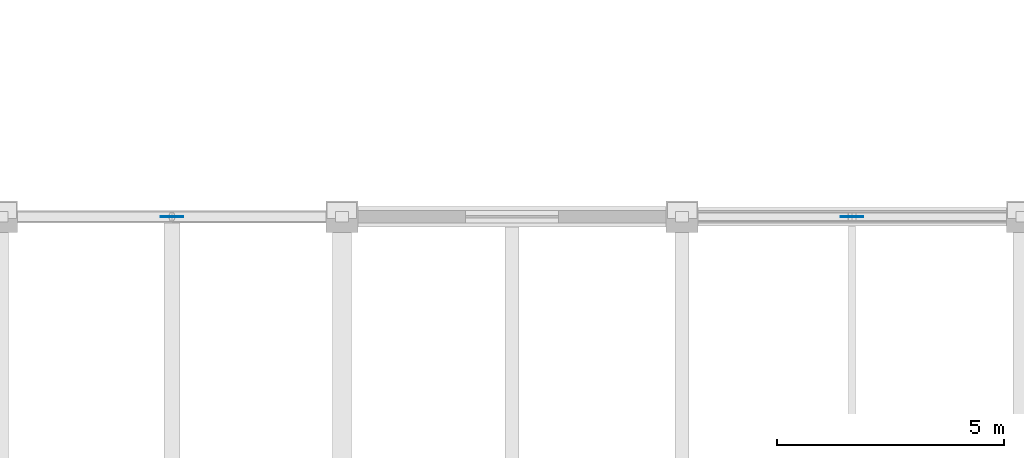
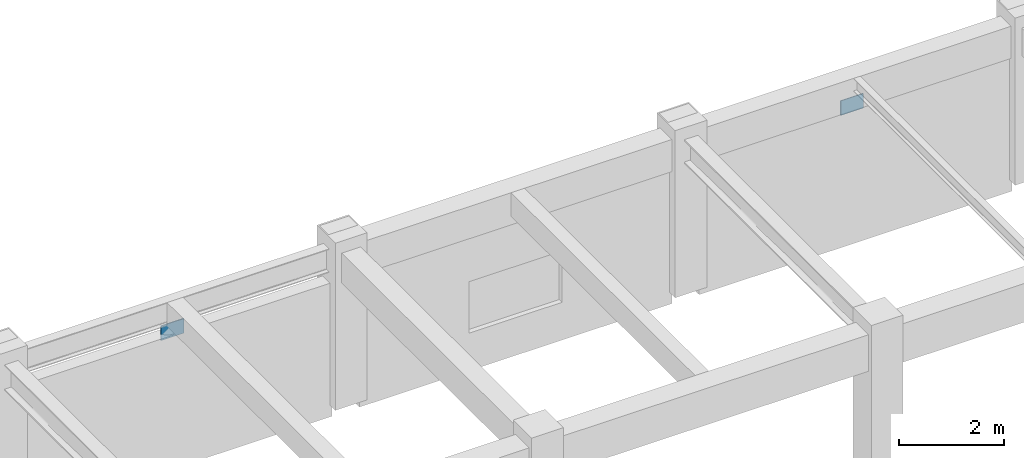
# One storey, part 60 of 82: 2 plates.
"""IFC4 building model written with IfcOpenShell, lengths in metres."""

from ifc_helpers import new_model, si_unit, direction, frame, origin, origin_2d, place, context, subcontext, project, spatial, rectangle, extrude, material, layer, layer_set, type_object, element, save


model = new_model("IFC4")

# Units and contexts
model_context = context("Model", 3, precision=1e-05, world=origin(), true_north=direction((0.0, 1.0)))
body_context = subcontext(model_context, "Body", "Model", "MODEL_VIEW")
ifc_project = project(units=[si_unit("LENGTHUNIT", "METRE"), si_unit("AREAUNIT", "SQUARE_METRE"), si_unit("VOLUMEUNIT", "CUBIC_METRE"), si_unit("PLANEANGLEUNIT", "RADIAN"), si_unit("MASSUNIT", "GRAM", prefix="KILO")], contexts=[model_context])

# Site, building, storey
site_placement = place(None, origin())
site = spatial("IfcSite", under=ifc_project, at=site_placement, CompositionType="ELEMENT")
building_placement = place(site_placement, origin())
building = spatial("IfcBuilding", under=site, at=building_placement, Name="Qasida Concert Hall", CompositionType="ELEMENT")
storey_placement = place(building_placement, frame((0.0, 0.0, 17.10009765625)))
storey = spatial("IfcBuildingStorey", under=building, at=storey_placement, Name="L04", CompositionType="ELEMENT", Elevation=17.10009765625)

# Plates
ifc_material = material(Name="Steel S355J2", Category="steel")
ifc_layer = layer(ifc_material, 0.02197265625, Name="Steel S355J2")
ifc_layer_set = layer_set([ifc_layer], Name="Steel S355J2")
plate_type = type_object("IfcPlateType", Name="PLT-PL-EC5", PredefinedType="SHEET", material=ifc_layer_set)
for number, where, z_axis, x_axis, name in (
    (1, (71.25, 82.5, 2.69970703125), (0.0, 0.0, 1.0), (1.0, 0.0, 0.0), "Chevron apex plate CBF-0087"),
    (2, (86.25, 82.5, 2.69970703125), (0.0, 0.0, 1.0), (1.0, 0.0, 0.0), "Chevron apex plate CBF-0093"),
):
    element("IfcPlate", number, at=place(storey_placement, frame(where, z_axis=z_axis, x_axis=x_axis)), inside=storey, type_object=plate_type, Name=name, PredefinedType="SHEET", context=body_context, shape_type="SweptSolid", body=[
        extrude(rectangle(XDim=0.5, YDim=0.02197265625, at=origin_2d()), origin(), (0.0, 0.0, 1.0), 0.340087890625),
    ])

save(model, "model.ifc")
